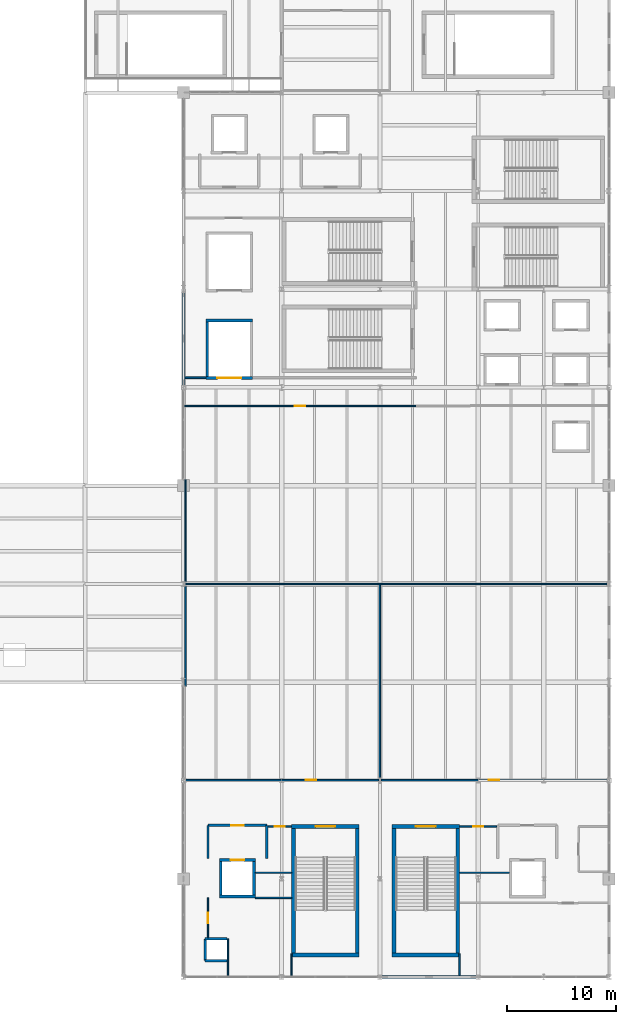
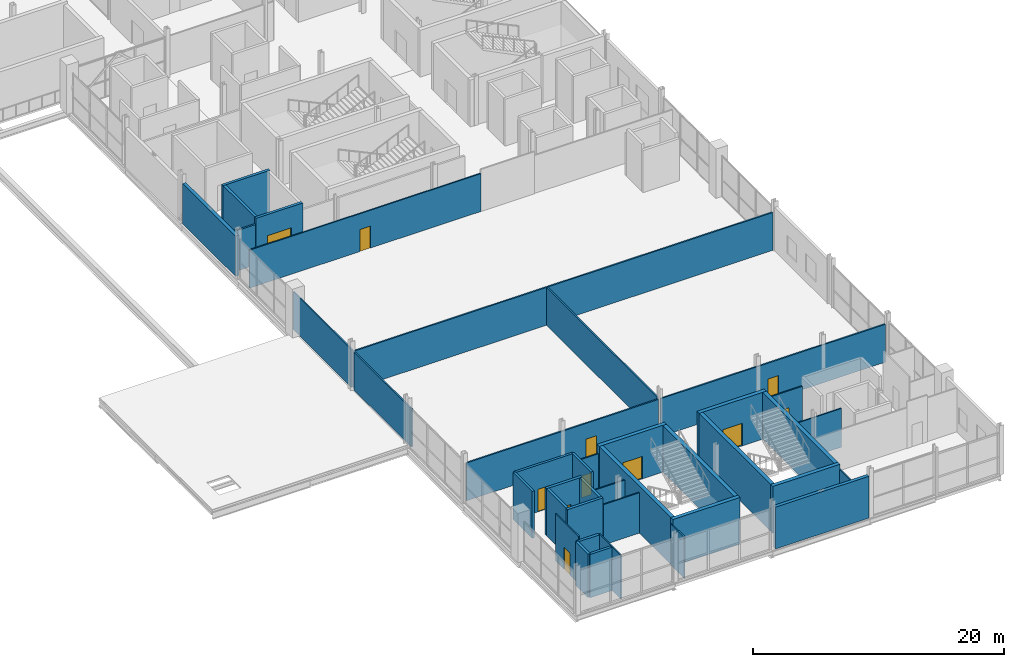
# One storey, part 39 of 50: 41 walls, 11 doors, 11 openings.
"""IFC4 building model written with IfcOpenShell, lengths in metres."""

from ifc_helpers import new_model, si_unit, direction, frame, frame_2d, origin, place, context, subcontext, project, spatial, rectangle, extrude, material, layer, layer_set, type_object, element, fill, save


model = new_model("IFC4")

# Units and contexts
model_context = context("Model", 3, precision=1e-05, world=origin(), true_north=direction((0.0, 1.0)))
body_context = subcontext(model_context, "Body", "Model", "MODEL_VIEW")
ifc_project = project(units=[si_unit("LENGTHUNIT", "METRE"), si_unit("AREAUNIT", "SQUARE_METRE"), si_unit("VOLUMEUNIT", "CUBIC_METRE"), si_unit("PLANEANGLEUNIT", "RADIAN"), si_unit("MASSUNIT", "GRAM", prefix="KILO")], contexts=[model_context])

# Site, building, storey
site_placement = place(None, origin())
site = spatial("IfcSite", under=ifc_project, at=site_placement, CompositionType="ELEMENT")
building_placement = place(site_placement, origin())
building = spatial("IfcBuilding", under=site, at=building_placement, Name="Qamarlyn Nura Convention Centre", CompositionType="ELEMENT")
storey_placement = place(building_placement, frame((0.0, 0.0, 20.39990234375)))
storey = spatial("IfcBuildingStorey", under=building, at=storey_placement, Name="L04", CompositionType="ELEMENT", Elevation=20.39990234375)

# Wall, opening, door
ifc_material_1 = material(Name="Fire-rated acoustic gypsum board and mineral wool EI 120")
ifc_layer_1 = layer(ifc_material_1, 0.219970703125, Name="WT-COMP-220")
ifc_layer_set_1 = layer_set([ifc_layer_1], Name="Fire-rated acoustic gypsum board and mineral wool EI 120")
wall_type_1 = type_object("IfcWallType", Name="WT-COMP-220", PredefinedType="SOLIDWALL", material=ifc_layer_set_1)
wall_1_placement = place(storey_placement, frame((155.25, 13.89990234375, 0.0), z_axis=(0.0, 0.0, 1.0), x_axis=(1.0, 0.0, 0.0)))
wall_1 = element("IfcWall", 1, at=wall_1_placement, inside=storey, type_object=wall_type_1, Name="L04 firefighting lobby barrier wall FFL-01-OPP", PredefinedType="SOLIDWALL", context=body_context, shape_type="SweptSolid", body=[
    extrude(rectangle(XDim=5.39990234375, YDim=0.219970703125, at=frame_2d((2.699951171875, 0.0))), origin(), (0.0, 0.0, 1.0), 4.56005859375),
])
opening_1_placement = place(wall_1_placement, frame((2.139892578125, 0.0, 0.0)))
opening_1 = element("IfcOpeningElement", 2, at=opening_1_placement, cuts=wall_1, Name="Opening DF-108", PredefinedType="OPENING", context=body_context, shape_type="SweptSolid", body=[
    extrude(rectangle(XDim=1.1201171875, YDim=2.199951171875, at=frame_2d((0.56005859375, 1.10009765625))), frame((0.0, 0.1201171875, 0.0), z_axis=(0.0, -1.0, 0.0), x_axis=(1.0, 0.0, 0.0)), (0.0, 0.0, 1.0), 0.239990234375),
])
ifc_material_2 = material(Name="Galvanised fire-rated hollow steel door", Category="steel")
door_type_1 = type_object("IfcDoorType", Name="DR-FFL-1120", OperationType="NOTDEFINED", PredefinedType="DOOR", material=ifc_material_2)
door_1_placement = place(opening_1_placement, origin())
door_1 = element("IfcDoor", 3, at=door_1_placement, inside=storey, type_object=door_type_1, Name="L04 firefighting lobby door FFL-01 (DF-108)", OperationType="SINGLE_SWING_RIGHT", OverallHeight=2.199951171875, OverallWidth=1.1201171875, PredefinedType="DOOR", context=body_context, shape_type="SweptSolid", body=[
    extrude(rectangle(XDim=1.1201171875, YDim=2.199951171875, at=frame_2d((0.56005859375, 1.10009765625))), frame((0.0, 0.02490234375, 0.0), z_axis=(0.0, -1.0, 0.0), x_axis=(1.0, 0.0, 0.0)), (0.0, 0.0, 1.0), 0.050048828125),
])
fill(opening_1, door_1)

# Walls
for number, where, z_axis, x_axis, name in (
    (4, (155.25, 10.85009765625, 0.0), (0.0, 0.0, 1.0), (0.0, 1.0, 0.0), "L04 firefighting lobby barrier wall FFL-01-W"),
    (5, (160.64990234375, 10.85009765625, 0.0), (0.0, 0.0, 1.0), (0.0, 1.0, 0.0), "L04 firefighting lobby barrier wall FFL-01-E"),
):
    element("IfcWall", number, at=place(storey_placement, frame(where, z_axis=z_axis, x_axis=x_axis)), inside=storey, type_object=wall_type_1, Name=name, PredefinedType="SOLIDWALL", context=body_context, shape_type="SweptSolid", body=[
        extrude(rectangle(XDim=3.0498046875, YDim=0.219970703125, at=frame_2d((1.52490234375, 0.0))), origin(), (0.0, 0.0, 1.0), 4.56005859375),
    ])
ifc_material_3 = material(Name="Concrete C50/60", Category="concrete")
ifc_layer_2 = layer(ifc_material_3, 0.35009765625, Name="WT-CORE-350")
ifc_layer_set_2 = layer_set([ifc_layer_2], Name="Concrete C50/60")
wall_type_2 = type_object("IfcWallType", Name="WT-CORE-350", PredefinedType="SHEAR", material=ifc_layer_set_2)
wall_2_placement = place(storey_placement, frame((162.89990234375, 2.02490234375, 0.0), z_axis=(0.0, 0.0, 1.0), x_axis=(1.0, 0.0, 0.0)))
element("IfcWall", 6, at=wall_2_placement, inside=storey, type_object=wall_type_2, Name="L04 stair core shear wall ST-09-S", PredefinedType="SHEAR", context=body_context, shape_type="SweptSolid", body=[
    extrude(rectangle(XDim=6.2001953125, YDim=0.35009765625, at=frame_2d((3.10009765625, 0.0))), origin(), (0.0, 0.0, 1.0), 4.56005859375),
])

# Wall, opening, door
wall_3_placement = place(storey_placement, frame((169.10009765625, 13.77490234375, 0.0), z_axis=(0.0, 0.0, 1.0), x_axis=(-1.0, 0.0, 0.0)))
wall_3 = element("IfcWall", 7, at=wall_3_placement, inside=storey, type_object=wall_type_2, Name="L04 stair core shear wall ST-09-N", PredefinedType="SHEAR", context=body_context, shape_type="SweptSolid", body=[
    extrude(rectangle(XDim=6.2001953125, YDim=0.35009765625, at=frame_2d((3.10009765625, 0.0))), origin(), (0.0, 0.0, 1.0), 4.56005859375),
])
opening_2_placement = place(wall_3_placement, frame((2.199951171875, 0.0, 0.0)))
opening_2 = element("IfcOpeningElement", 8, at=opening_2_placement, cuts=wall_3, Name="Opening DS-034", PredefinedType="OPENING", context=body_context, shape_type="SweptSolid", body=[
    extrude(rectangle(XDim=1.800048828125, YDim=2.199951171875, at=frame_2d((0.89990234375, 1.10009765625))), frame((0.0, 0.18505859375, 0.0), z_axis=(0.0, -1.0, 0.0), x_axis=(1.0, 0.0, 0.0)), (0.0, 0.0, 1.0), 0.3701171875),
])
door_type_2 = type_object("IfcDoorType", Name="DR-STAIR-1800", OperationType="DOUBLE_DOOR_SINGLE_SWING", PredefinedType="DOOR", material=ifc_material_2)
door_2_placement = place(opening_2_placement, origin())
door_2 = element("IfcDoor", 9, at=door_2_placement, inside=storey, type_object=door_type_2, Name="L04 exit stair door ST-09 (DS-034)", OperationType="DOUBLE_DOOR_SINGLE_SWING", OverallHeight=2.199951171875, OverallWidth=1.800048828125, PredefinedType="DOOR", context=body_context, shape_type="SweptSolid", body=[
    extrude(rectangle(XDim=1.800048828125, YDim=2.199951171875, at=frame_2d((0.89990234375, 1.10009765625))), frame((0.0, 0.02490234375, 0.0), z_axis=(0.0, -1.0, 0.0), x_axis=(1.0, 0.0, 0.0)), (0.0, 0.0, 1.0), 0.050048828125),
])
fill(opening_2, door_2)

# Walls
for number, where, z_axis, x_axis, name in (
    (10, (163.074951171875, 13.60009765625, 0.0), (0.0, 0.0, 1.0), (0.0, -1.0, 0.0), "L04 stair core shear wall ST-09-W"),
    (11, (168.925048828125, 2.199951171875, 0.0), (0.0, 0.0, 1.0), (0.0, 1.0, 0.0), "L04 stair core shear wall ST-09-E"),
):
    element("IfcWall", number, at=place(storey_placement, frame(where, z_axis=z_axis, x_axis=x_axis)), inside=storey, type_object=wall_type_2, Name=name, PredefinedType="SHEAR", context=body_context, shape_type="SweptSolid", body=[
        extrude(rectangle(XDim=11.400146484375, YDim=0.35009765625, at=frame_2d((5.7001953125, 0.0))), origin(), (0.0, 0.0, 1.0), 4.56005859375),
    ])
wall_4_placement = place(storey_placement, frame((172.10009765625, 2.02490234375, 0.0), z_axis=(0.0, 0.0, 1.0), x_axis=(1.0, 0.0, 0.0)))
element("IfcWall", 12, at=wall_4_placement, inside=storey, type_object=wall_type_2, Name="L04 stair core shear wall ST-10-S", PredefinedType="SHEAR", context=body_context, shape_type="SweptSolid", body=[
    extrude(rectangle(XDim=6.199951171875, YDim=0.35009765625, at=frame_2d((3.10009765625, 0.0))), origin(), (0.0, 0.0, 1.0), 4.56005859375),
])

# Wall, opening, door
wall_5_placement = place(storey_placement, frame((178.300048828125, 13.77490234375, 0.0), z_axis=(0.0, 0.0, 1.0), x_axis=(-1.0, 0.0, 0.0)))
wall_5 = element("IfcWall", 13, at=wall_5_placement, inside=storey, type_object=wall_type_2, Name="L04 stair core shear wall ST-10-N", PredefinedType="SHEAR", context=body_context, shape_type="SweptSolid", body=[
    extrude(rectangle(XDim=6.199951171875, YDim=0.35009765625, at=frame_2d((3.10009765625, 0.0))), origin(), (0.0, 0.0, 1.0), 4.56005859375),
])
opening_3_placement = place(wall_5_placement, frame((2.199951171875, 0.0, 0.0)))
opening_3 = element("IfcOpeningElement", 14, at=opening_3_placement, cuts=wall_5, Name="Opening DS-041", PredefinedType="OPENING", context=body_context, shape_type="SweptSolid", body=[
    extrude(rectangle(XDim=1.800048828125, YDim=2.199951171875, at=frame_2d((0.89990234375, 1.10009765625))), frame((0.0, 0.18505859375, 0.0), z_axis=(0.0, -1.0, 0.0), x_axis=(1.0, 0.0, 0.0)), (0.0, 0.0, 1.0), 0.3701171875),
])
door_3_placement = place(opening_3_placement, origin())
door_3 = element("IfcDoor", 15, at=door_3_placement, inside=storey, type_object=door_type_2, Name="L04 exit stair door ST-10 (DS-041)", OperationType="DOUBLE_DOOR_SINGLE_SWING", OverallHeight=2.199951171875, OverallWidth=1.800048828125, PredefinedType="DOOR", context=body_context, shape_type="SweptSolid", body=[
    extrude(rectangle(XDim=1.800048828125, YDim=2.199951171875, at=frame_2d((0.89990234375, 1.10009765625))), frame((0.0, 0.02490234375, 0.0), z_axis=(0.0, -1.0, 0.0), x_axis=(1.0, 0.0, 0.0)), (0.0, 0.0, 1.0), 0.050048828125),
])
fill(opening_3, door_3)

# Walls
for number, where, z_axis, x_axis, name in (
    (16, (172.27490234375, 13.60009765625, 0.0), (0.0, 0.0, 1.0), (0.0, -1.0, 0.0), "L04 stair core shear wall ST-10-W"),
    (17, (178.125, 2.199951171875, 0.0), (0.0, 0.0, 1.0), (0.0, 1.0, 0.0), "L04 stair core shear wall ST-10-E"),
):
    element("IfcWall", number, at=place(storey_placement, frame(where, z_axis=z_axis, x_axis=x_axis)), inside=storey, type_object=wall_type_2, Name=name, PredefinedType="SHEAR", context=body_context, shape_type="SweptSolid", body=[
        extrude(rectangle(XDim=11.400146484375, YDim=0.35009765625, at=frame_2d((5.7001953125, 0.0))), origin(), (0.0, 0.0, 1.0), 4.56005859375),
    ])
ifc_material_4 = material(Name="Concrete C40/50 with UAE coastal limestone stone facing", Category="masonry")
ifc_layer_3 = layer(ifc_material_4, 0.300048828125, Name="WT-LIME-300")
ifc_layer_set_3 = layer_set([ifc_layer_3], Name="Concrete C40/50 with UAE coastal limestone stone facing")
wall_type_3 = type_object("IfcWallType", Name="WT-LIME-300", PredefinedType="SOLIDWALL", material=ifc_layer_set_3)
wall_6_placement = place(storey_placement, frame((179.8154296875, 0.0, 0.0), z_axis=(0.0, 0.0, 1.0), x_axis=(-1.0, 0.0, 0.0)))
element("IfcWall", 18, at=wall_6_placement, inside=storey, type_object=wall_type_3, Name="L04 exterior facade wall WEXT-L04-1798-0-1712-0", PredefinedType="SOLIDWALL", context=body_context, shape_type="SweptSolid", body=[
    extrude(rectangle(XDim=8.62841796875, YDim=0.300048828125, at=frame_2d((4.314208984375, 0.0))), origin(), (0.0, 0.0, 1.0), 4.0791015625),
])
wall_7_placement = place(storey_placement, frame((153.0, 54.199951171875, 0.0), z_axis=(0.0, 0.0, 1.0), x_axis=(0.0, 1.0, 0.0)))
element("IfcWall", 19, at=wall_7_placement, inside=storey, type_object=wall_type_3, Name="L04 exterior facade wall WEXT-L04-1530-542-1530-627", PredefinedType="SOLIDWALL", context=body_context, shape_type="SweptSolid", body=[
    extrude(rectangle(XDim=8.45263671875, YDim=0.300048828125, at=frame_2d((4.226318359375, 0.0))), origin(), (0.0, 0.0, 1.0), 3.93408203125),
])

# Wall, opening, door
ifc_material_5 = material(Name="Acoustic double-stud gypsum partition")
ifc_layer_4 = layer(ifc_material_5, 0.1201171875, Name="WT-PART-120")
ifc_layer_set_4 = layer_set([ifc_layer_4], Name="Acoustic double-stud gypsum partition")
wall_type_4 = type_object("IfcWallType", Name="WT-PART-120", PredefinedType="PARTITIONING", material=ifc_layer_set_4)
wall_8_placement = place(storey_placement, frame((160.760009765625, 13.77490234375, 0.0), z_axis=(0.0, 0.0, 1.0), x_axis=(1.0, 0.0, 0.0)))
wall_8 = element("IfcWall", 20, at=wall_8_placement, inside=storey, type_object=wall_type_4, Name="L04 interior partition L04-WC-M-L04-18-1", PredefinedType="PARTITIONING", context=body_context, shape_type="SweptSolid", body=[
    extrude(rectangle(XDim=2.139892578125, YDim=0.1201171875, at=frame_2d((1.06982421875, 0.0))), origin(), (0.0, 0.0, 1.0), 3.772216796875),
])
opening_4_placement = place(wall_8_placement, frame((0.610107421875, 0.0, 0.0)))
opening_4 = element("IfcOpeningElement", 21, at=opening_4_placement, cuts=wall_8, Name="Opening D-L04-204", PredefinedType="OPENING", context=body_context, shape_type="SweptSolid", body=[
    extrude(rectangle(XDim=0.919921875, YDim=2.1201171875, at=frame_2d((0.4599609375, 1.06005859375))), frame((0.0, 0.070068359375, 0.0), z_axis=(0.0, -1.0, 0.0), x_axis=(1.0, 0.0, 0.0)), (0.0, 0.0, 1.0), 0.14013671875),
])
ifc_material_6 = material(Name="Acoustic walnut timber leaf", Category="wood")
door_type_3 = type_object("IfcDoorType", Name="DR-WC-STD-092", OperationType="NOTDEFINED", PredefinedType="DOOR", material=ifc_material_6)
door_4_placement = place(opening_4_placement, origin())
door_4 = element("IfcDoor", 22, at=door_4_placement, inside=storey, type_object=door_type_3, Name="L04 Male WC L04 door D-L04-204", OperationType="SINGLE_SWING_RIGHT", OverallHeight=2.1201171875, OverallWidth=0.919921875, PredefinedType="DOOR", context=body_context, shape_type="SweptSolid", body=[
    extrude(rectangle(XDim=0.919921875, YDim=2.1201171875, at=frame_2d((0.4599609375, 1.06005859375))), frame((0.0, 0.02490234375, 0.0), z_axis=(0.0, -1.0, 0.0), x_axis=(1.0, 0.0, 0.0)), (0.0, 0.0, 1.0), 0.050048828125),
])
fill(opening_4, door_4)

# Wall
wall_9_placement = place(storey_placement, frame((162.89990234375, 9.550048828125, 0.0), z_axis=(0.0, 0.0, 1.0), x_axis=(-1.0, 0.0, 0.0)))
element("IfcWall", 23, at=wall_9_placement, inside=storey, type_object=wall_type_4, Name="L04 interior partition L04-WC-M-L04-24-1", PredefinedType="PARTITIONING", context=body_context, shape_type="SweptSolid", body=[
    extrude(rectangle(XDim=3.2998046875, YDim=0.1201171875, at=frame_2d((1.64990234375, 0.0))), origin(), (0.0, 0.0, 1.0), 3.772216796875),
])

# Wall, opening, door
wall_10_placement = place(storey_placement, frame((178.300048828125, 13.77490234375, 0.0), z_axis=(0.0, 0.0, 1.0), x_axis=(1.0, 0.0, 0.0)))
wall_10 = element("IfcWall", 24, at=wall_10_placement, inside=storey, type_object=wall_type_4, Name="L04 interior partition L04-WC-F-L04-1-1", PredefinedType="PARTITIONING", context=body_context, shape_type="SweptSolid", body=[
    extrude(rectangle(XDim=3.389892578125, YDim=0.1201171875, at=frame_2d((1.69482421875, 0.0))), origin(), (0.0, 0.0, 1.0), 3.772216796875),
])
opening_5_placement = place(wall_10_placement, frame((1.235107421875, 0.0, 0.0)))
opening_5 = element("IfcOpeningElement", 25, at=opening_5_placement, cuts=wall_10, Name="Opening D-L04-205", PredefinedType="OPENING", context=body_context, shape_type="SweptSolid", body=[
    extrude(rectangle(XDim=0.919921875, YDim=2.1201171875, at=frame_2d((0.4599609375, 1.06005859375))), frame((0.0, 0.070068359375, 0.0), z_axis=(0.0, -1.0, 0.0), x_axis=(1.0, 0.0, 0.0)), (0.0, 0.0, 1.0), 0.14013671875),
])
door_5_placement = place(opening_5_placement, origin())
door_5 = element("IfcDoor", 26, at=door_5_placement, inside=storey, type_object=door_type_3, Name="L04 Female WC L04 door D-L04-205", OperationType="SINGLE_SWING_LEFT", OverallHeight=2.1201171875, OverallWidth=0.919921875, PredefinedType="DOOR", context=body_context, shape_type="SweptSolid", body=[
    extrude(rectangle(XDim=0.919921875, YDim=2.1201171875, at=frame_2d((0.4599609375, 1.06005859375))), frame((0.0, 0.02490234375, 0.0), z_axis=(0.0, -1.0, 0.0), x_axis=(1.0, 0.0, 0.0)), (0.0, 0.0, 1.0), 0.050048828125),
])
fill(opening_5, door_5)

# Walls
wall_11_placement = place(storey_placement, frame((182.85009765625, 9.550048828125, 0.0), z_axis=(0.0, 0.0, 1.0), x_axis=(-1.0, 0.0, 0.0)))
element("IfcWall", 27, at=wall_11_placement, inside=storey, type_object=wall_type_4, Name="L04 interior partition L04-WC-F-L04-20-1", PredefinedType="PARTITIONING", context=body_context, shape_type="SweptSolid", body=[
    extrude(rectangle(XDim=4.550048828125, YDim=0.1201171875, at=frame_2d((2.27490234375, 0.0))), origin(), (0.0, 0.0, 1.0), 3.772216796875),
])
wall_12_placement = place(storey_placement, frame((159.60009765625, 7.25, 0.0), z_axis=(0.0, 0.0, 1.0), x_axis=(1.0, 0.0, 0.0)))
element("IfcWall", 28, at=wall_12_placement, inside=storey, type_object=wall_type_4, Name="L04 interior partition L04-BRD-401-8-1", PredefinedType="PARTITIONING", context=body_context, shape_type="SweptSolid", body=[
    extrude(rectangle(XDim=3.2998046875, YDim=0.1201171875, at=frame_2d((1.64990234375, 0.0))), origin(), (0.0, 0.0, 1.0), 3.93408203125),
])
wall_13_placement = place(storey_placement, frame((162.89990234375, 2.117431640625, 0.0), z_axis=(0.0, 0.0, 1.0), x_axis=(0.0, -1.0, 0.0)))
element("IfcWall", 29, at=wall_13_placement, inside=storey, type_object=wall_type_4, Name="L04 interior partition L04-BRD-401-13-1", PredefinedType="PARTITIONING", context=body_context, shape_type="SweptSolid", body=[
    extrude(rectangle(XDim=2.10546875, YDim=0.1201171875, at=frame_2d((1.052734375, 0.0))), origin(), (0.0, 0.0, 1.0), 4.006103515625),
])
wall_14_placement = place(storey_placement, frame((157.080078125, 0.011962890625, 0.0), z_axis=(0.0, 0.0, 1.0), x_axis=(0.0, 1.0, 0.0)))
element("IfcWall", 30, at=wall_14_placement, inside=storey, type_object=wall_type_4, Name="L04 interior partition L04-BRD-401-33-1", PredefinedType="PARTITIONING", context=body_context, shape_type="SweptSolid", body=[
    extrude(rectangle(XDim=3.488037109375, YDim=0.1201171875, at=frame_2d((1.744140625, 0.0))), origin(), (0.0, 0.0, 1.0), 4.2451171875),
])

# Wall, opening, door
wall_15_placement = place(storey_placement, frame((155.25, 3.580078125, 0.0), z_axis=(0.0, 0.0, 1.0), x_axis=(0.0, 1.0, 0.0)))
wall_15 = element("IfcWall", 31, at=wall_15_placement, inside=storey, type_object=wall_type_4, Name="L04 interior partition L04-BRD-401-51-1", PredefinedType="PARTITIONING", context=body_context, shape_type="SweptSolid", body=[
    extrude(rectangle(XDim=3.669921875, YDim=0.1201171875, at=frame_2d((1.8349609375, 0.0))), origin(), (0.0, 0.0, 1.0), 4.56005859375),
])
opening_6_placement = place(wall_15_placement, frame((1.364990234375, 0.0, 0.0)))
opening_6 = element("IfcOpeningElement", 32, at=opening_6_placement, cuts=wall_15, Name="Opening D-L04-207", PredefinedType="OPENING", context=body_context, shape_type="SweptSolid", body=[
    extrude(rectangle(XDim=0.93994140625, YDim=2.14990234375, at=frame_2d((0.469970703125, 1.074951171875))), frame((0.0, 0.070068359375, 0.0), z_axis=(0.0, -1.0, 0.0), x_axis=(1.0, 0.0, 0.0)), (0.0, 0.0, 1.0), 0.14013671875),
])
door_type_4 = type_object("IfcDoorType", Name="DR-ROOM-0940", OperationType="NOTDEFINED", PredefinedType="DOOR", material=ifc_material_6)
door_6_placement = place(opening_6_placement, origin())
door_6 = element("IfcDoor", 33, at=door_6_placement, inside=storey, type_object=door_type_4, Name="L04 Executive Boardroom 401 door D-L04-207", OperationType="SINGLE_SWING_LEFT", OverallHeight=2.14990234375, OverallWidth=0.93994140625, PredefinedType="DOOR", context=body_context, shape_type="SweptSolid", body=[
    extrude(rectangle(XDim=0.93994140625, YDim=2.14990234375, at=frame_2d((0.469970703125, 1.074951171875))), frame((0.0, 0.02490234375, 0.0), z_axis=(0.0, -1.0, 0.0), x_axis=(1.0, 0.0, 0.0)), (0.0, 0.0, 1.0), 0.050048828125),
])
fill(opening_6, door_6)

# Wall
wall_16_placement = place(storey_placement, frame((178.300048828125, 0.14990234375, 0.0), z_axis=(0.0, 0.0, 1.0), x_axis=(0.0, 1.0, 0.0)))
element("IfcWall", 34, at=wall_16_placement, inside=storey, type_object=wall_type_4, Name="L04 interior partition L04-BRD-402-42-1", PredefinedType="PARTITIONING", context=body_context, shape_type="SweptSolid", body=[
    extrude(rectangle(XDim=1.967529296875, YDim=0.1201171875, at=frame_2d((0.98388671875, 0.0))), origin(), (0.0, 0.0, 1.0), 4.0791015625),
])

# Wall, opening, door
wall_17_placement = place(storey_placement, frame((153.011962890625, 52.31005859375, 0.0), z_axis=(0.0, 0.0, 1.0), x_axis=(1.0, 0.0, 0.0)))
wall_17 = element("IfcWall", 35, at=wall_17_placement, inside=storey, type_object=wall_type_4, Name="L04 interior partition L04-PRS-STUD-1-1", PredefinedType="PARTITIONING", context=body_context, shape_type="SweptSolid", body=[
    extrude(rectangle(XDim=21.298095703125, YDim=0.1201171875, at=frame_2d((10.64892578125, 0.0))), origin(), (0.0, 0.0, 1.0), 3.690185546875),
])
opening_7_placement = place(wall_17_placement, frame((10.1689453125, 0.0, 0.0)))
opening_7 = element("IfcOpeningElement", 36, at=opening_7_placement, cuts=wall_17, Name="Opening D-L04-214", PredefinedType="OPENING", context=body_context, shape_type="SweptSolid", body=[
    extrude(rectangle(XDim=0.9599609375, YDim=2.14990234375, at=frame_2d((0.47998046875, 1.074951171875))), frame((0.0, 0.070068359375, 0.0), z_axis=(0.0, -1.0, 0.0), x_axis=(1.0, 0.0, 0.0)), (0.0, 0.0, 1.0), 0.14013671875),
])
door_type_5 = type_object("IfcDoorType", Name="DR-ROOM-0960", OperationType="NOTDEFINED", PredefinedType="DOOR", material=ifc_material_6)
door_7_placement = place(opening_7_placement, origin())
door_7 = element("IfcDoor", 37, at=door_7_placement, inside=storey, type_object=door_type_5, Name="L04 Broadcast and Press Studios door D-L04-214", OperationType="SINGLE_SWING_LEFT", OverallHeight=2.14990234375, OverallWidth=0.9599609375, PredefinedType="DOOR", context=body_context, shape_type="SweptSolid", body=[
    extrude(rectangle(XDim=0.9599609375, YDim=2.14990234375, at=frame_2d((0.47998046875, 1.074951171875))), frame((0.0, 0.02490234375, 0.0), z_axis=(0.0, -1.0, 0.0), x_axis=(1.0, 0.0, 0.0)), (0.0, 0.0, 1.0), 0.050048828125),
])
fill(opening_7, door_7)

# Walls
wall_18_placement = place(storey_placement, frame((153.199951171875, 36.219970703125, 0.0), z_axis=(0.0, 0.0, 1.0), x_axis=(0.0, 1.0, 0.0)))
element("IfcWall", 38, at=wall_18_placement, inside=storey, type_object=wall_type_4, Name="L04 interior partition L04-PRS-STUD-47-1", PredefinedType="PARTITIONING", context=body_context, shape_type="SweptSolid", body=[
    extrude(rectangle(XDim=9.330078125, YDim=0.1201171875, at=frame_2d((4.6650390625, 0.0))), origin(), (0.0, 0.0, 1.0), 3.690185546875),
])
ifc_layer_5 = layer(ifc_material_5, 0.135009765625, Name="WT-PART-135")
ifc_layer_set_5 = layer_set([ifc_layer_5], Name="Acoustic double-stud gypsum partition")
wall_type_5 = type_object("IfcWallType", Name="WT-PART-135", PredefinedType="PARTITIONING", material=ifc_layer_set_5)
wall_19_placement = place(storey_placement, frame((153.2099609375, 36.0, 0.0), z_axis=(0.0, 0.0, 1.0), x_axis=(1.0, 0.0, 0.0)))
element("IfcWall", 39, at=wall_19_placement, inside=storey, type_object=wall_type_5, Name="L04 interior partition L04-SEM-403-1-1", PredefinedType="PARTITIONING", context=body_context, shape_type="SweptSolid", body=[
    extrude(rectangle(XDim=17.7900390625, YDim=0.135009765625, at=frame_2d((8.89501953125, 0.0))), origin(), (0.0, 0.0, 1.0), 3.690185546875),
])
wall_20_placement = place(storey_placement, frame((171.0, 36.0, 0.0), z_axis=(0.0, 0.0, 1.0), x_axis=(0.0, -1.0, 0.0)))
element("IfcWall", 40, at=wall_20_placement, inside=storey, type_object=wall_type_5, Name="L04 interior partition L04-SEM-403-2-1", PredefinedType="PARTITIONING", context=body_context, shape_type="SweptSolid", body=[
    extrude(rectangle(XDim=17.719970703125, YDim=0.135009765625, at=frame_2d((8.85986328125, 0.0))), origin(), (0.0, 0.0, 1.0), 3.690185546875),
])

# Wall, opening, door
wall_21_placement = place(storey_placement, frame((170.8798828125, 18.0400390625, 0.0), z_axis=(0.0, 0.0, 1.0), x_axis=(-1.0, 0.0, 0.0)))
wall_21 = element("IfcWall", 41, at=wall_21_placement, inside=storey, type_object=wall_type_5, Name="L04 interior partition L04-SEM-403-3-1", PredefinedType="PARTITIONING", context=body_context, shape_type="SweptSolid", body=[
    extrude(rectangle(XDim=17.669921875, YDim=0.135009765625, at=frame_2d((8.8349609375, 0.0))), origin(), (0.0, 0.0, 1.0), 3.690185546875),
])
opening_8_placement = place(wall_21_placement, frame((5.694580078125, 0.0, 0.0)))
opening_8 = element("IfcOpeningElement", 42, at=opening_8_placement, cuts=wall_21, Name="Opening D-L04-211", PredefinedType="OPENING", context=body_context, shape_type="SweptSolid", body=[
    extrude(rectangle(XDim=0.97998046875, YDim=2.14990234375, at=frame_2d((0.489990234375, 1.074951171875))), frame((0.0, 0.07763671875, 0.0), z_axis=(0.0, -1.0, 0.0), x_axis=(1.0, 0.0, 0.0)), (0.0, 0.0, 1.0), 0.155029296875),
])
door_type_6 = type_object("IfcDoorType", Name="DR-ROOM-0980", OperationType="NOTDEFINED", PredefinedType="DOOR", material=ifc_material_6)
door_8_placement = place(opening_8_placement, origin())
door_8 = element("IfcDoor", 43, at=door_8_placement, inside=storey, type_object=door_type_6, Name="L04 Seminar Suite 403 door D-L04-211", OperationType="SINGLE_SWING_RIGHT", OverallHeight=2.14990234375, OverallWidth=0.97998046875, PredefinedType="DOOR", context=body_context, shape_type="SweptSolid", body=[
    extrude(rectangle(XDim=0.97998046875, YDim=2.14990234375, at=frame_2d((0.489990234375, 1.074951171875))), frame((0.0, 0.02490234375, 0.0), z_axis=(0.0, -1.0, 0.0), x_axis=(1.0, 0.0, 0.0)), (0.0, 0.0, 1.0), 0.050048828125),
])
fill(opening_8, door_8)

# Wall
wall_22_placement = place(storey_placement, frame((153.199951171875, 26.652587890625, 0.0), z_axis=(0.0, 0.0, 1.0), x_axis=(0.0, 1.0, 0.0)))
element("IfcWall", 44, at=wall_22_placement, inside=storey, type_object=wall_type_5, Name="L04 interior partition L04-SEM-403-4-2", PredefinedType="PARTITIONING", context=body_context, shape_type="SweptSolid", body=[
    extrude(rectangle(XDim=9.12744140625, YDim=0.135009765625, at=frame_2d((4.563720703125, 0.0))), origin(), (0.0, 0.0, 1.0), 3.690185546875),
])

# Wall, opening, door
wall_23_placement = place(storey_placement, frame((191.7900390625, 18.0400390625, 0.0), z_axis=(0.0, 0.0, 1.0), x_axis=(-1.0, 0.0, 0.0)))
wall_23 = element("IfcWall", 45, at=wall_23_placement, inside=storey, type_object=wall_type_5, Name="L04 interior partition L04-SEM-404-2-1", PredefinedType="PARTITIONING", context=body_context, shape_type="SweptSolid", body=[
    extrude(rectangle(XDim=20.669921875, YDim=0.135009765625, at=frame_2d((10.3349609375, 0.0))), origin(), (0.0, 0.0, 1.0), 3.690185546875),
])
opening_9_placement = place(wall_23_placement, frame((9.864990234375, 0.0, 0.0)))
opening_9 = element("IfcOpeningElement", 46, at=opening_9_placement, cuts=wall_23, Name="Opening D-L04-212", PredefinedType="OPENING", context=body_context, shape_type="SweptSolid", body=[
    extrude(rectangle(XDim=0.93994140625, YDim=2.14990234375, at=frame_2d((0.469970703125, 1.074951171875))), frame((0.0, 0.07763671875, 0.0), z_axis=(0.0, -1.0, 0.0), x_axis=(1.0, 0.0, 0.0)), (0.0, 0.0, 1.0), 0.155029296875),
])
door_9_placement = place(opening_9_placement, origin())
door_9 = element("IfcDoor", 47, at=door_9_placement, inside=storey, type_object=door_type_4, Name="L04 Seminar Suite 404 door D-L04-212", OperationType="SINGLE_SWING_LEFT", OverallHeight=2.14990234375, OverallWidth=0.93994140625, PredefinedType="DOOR", context=body_context, shape_type="SweptSolid", body=[
    extrude(rectangle(XDim=0.93994140625, YDim=2.14990234375, at=frame_2d((0.469970703125, 1.074951171875))), frame((0.0, 0.02490234375, 0.0), z_axis=(0.0, -1.0, 0.0), x_axis=(1.0, 0.0, 0.0)), (0.0, 0.0, 1.0), 0.050048828125),
])
fill(opening_9, door_9)

# Walls
wall_24_placement = place(storey_placement, frame((171.0400390625, 36.0, 0.0), z_axis=(0.0, 0.0, 1.0), x_axis=(1.0, 0.0, 0.0)))
element("IfcWall", 48, at=wall_24_placement, inside=storey, type_object=wall_type_5, Name="L04 interior partition L04-SEM-404-4-1", PredefinedType="PARTITIONING", context=body_context, shape_type="SweptSolid", body=[
    extrude(rectangle(XDim=20.75, YDim=0.135009765625, at=frame_2d((10.375, 0.0))), origin(), (0.0, 0.0, 1.0), 3.690185546875),
])
ifc_material_7 = material(Name="Fire-rated acoustic gypsum board EI 60")
ifc_layer_6 = layer(ifc_material_7, 0.159912109375, Name="WT-PART-160")
ifc_layer_set_6 = layer_set([ifc_layer_6], Name="Fire-rated acoustic gypsum board EI 60")
wall_type_6 = type_object("IfcWallType", Name="WT-PART-160", PredefinedType="PARTITIONING", material=ifc_layer_set_6)
wall_25_placement = place(storey_placement, frame((155.050048828125, 54.889892578125, 0.0), z_axis=(0.0, 0.0, 1.0), x_axis=(-1.0, 0.0, 0.0)))
element("IfcWall", 49, at=wall_25_placement, inside=storey, type_object=wall_type_6, Name="L04 interior partition L04-PAN-EXEC-107-1", PredefinedType="PARTITIONING", context=body_context, shape_type="SweptSolid", body=[
    extrude(rectangle(XDim=1.900146484375, YDim=0.159912109375, at=frame_2d((0.9501953125, 0.0))), origin(), (0.0, 0.0, 1.0), 3.93408203125),
])
ifc_layer_7 = layer(ifc_material_1, 0.25, Name="WT-SHAFT-250")
ifc_layer_set_7 = layer_set([ifc_layer_7], Name="Fire-rated acoustic gypsum board and mineral wool EI 120")
wall_type_7 = type_object("IfcWallType", Name="WT-SHAFT-250", PredefinedType="SOLIDWALL", material=ifc_layer_set_7)
wall_26_placement = place(storey_placement, frame((156.300048828125, 7.375, 0.0), z_axis=(0.0, 0.0, 1.0), x_axis=(1.0, 0.0, 0.0)))
element("IfcWall", 50, at=wall_26_placement, inside=storey, type_object=wall_type_7, Name="L04 lift shaft enclosure wall FFL-01 -y", PredefinedType="SOLIDWALL", context=body_context, shape_type="SweptSolid", body=[
    extrude(rectangle(XDim=3.300048828125, YDim=0.25, at=frame_2d((1.64990234375, 0.0))), origin(), (0.0, 0.0, 1.0), 4.56005859375),
])

# Wall, opening, door
wall_27_placement = place(storey_placement, frame((159.60009765625, 10.72509765625, 0.0), z_axis=(0.0, 0.0, 1.0), x_axis=(-1.0, 0.0, 0.0)))
wall_27 = element("IfcWall", 51, at=wall_27_placement, inside=storey, type_object=wall_type_7, Name="L04 lift shaft enclosure wall FFL-01 +y", PredefinedType="SOLIDWALL", context=body_context, shape_type="SweptSolid", body=[
    extrude(rectangle(XDim=3.300048828125, YDim=0.25, at=frame_2d((1.64990234375, 0.0))), origin(), (0.0, 0.0, 1.0), 4.56005859375),
])
opening_10_placement = place(wall_27_placement, frame((1.050048828125, 0.0, 0.0)))
opening_10 = element("IfcOpeningElement", 52, at=opening_10_placement, cuts=wall_27, Name="Opening LD-FFL-01-L04", PredefinedType="OPENING", context=body_context, shape_type="SweptSolid", body=[
    extrude(rectangle(XDim=1.199951171875, YDim=2.25, at=frame_2d((0.60009765625, 1.125))), frame((0.0, 0.135009765625, 0.0), z_axis=(0.0, -1.0, 0.0), x_axis=(1.0, 0.0, 0.0)), (0.0, 0.0, 1.0), 0.27001953125),
])
ifc_material_8 = material(Name="Marine Grade 316 stainless steel", Category="steel")
door_type_7 = type_object("IfcDoorType", Name="DR-LD-FFL", OperationType="DOUBLE_DOOR_SLIDING", PredefinedType="DOOR", material=ifc_material_8)
door_10_placement = place(opening_10_placement, origin())
door_10 = element("IfcDoor", 53, at=door_10_placement, inside=storey, type_object=door_type_7, Name="Lift landing door LD-FFL-01-L04", OperationType="DOUBLE_DOOR_SLIDING", OverallHeight=2.25, OverallWidth=1.199951171875, PredefinedType="DOOR", context=body_context, shape_type="SweptSolid", body=[
    extrude(rectangle(XDim=1.199951171875, YDim=2.25, at=frame_2d((0.60009765625, 1.125))), frame((0.0, 0.02490234375, 0.0), z_axis=(0.0, -1.0, 0.0), x_axis=(1.0, 0.0, 0.0)), (0.0, 0.0, 1.0), 0.050048828125),
])
fill(opening_10, door_10)

# Walls
for number, where, z_axis, x_axis, name in (
    (54, (156.425048828125, 10.60009765625, 0.0), (0.0, 0.0, 1.0), (0.0, -1.0, 0.0), "L04 lift shaft enclosure wall FFL-01 -x"),
    (55, (159.47509765625, 7.5, 0.0), (0.0, 0.0, 1.0), (0.0, 1.0, 0.0), "L04 lift shaft enclosure wall FFL-01 +x"),
):
    element("IfcWall", number, at=place(storey_placement, frame(where, z_axis=z_axis, x_axis=x_axis)), inside=storey, type_object=wall_type_7, Name=name, PredefinedType="SOLIDWALL", context=body_context, shape_type="SweptSolid", body=[
        extrude(rectangle(XDim=3.10009765625, YDim=0.25, at=frame_2d((1.550048828125, 0.0))), origin(), (0.0, 0.0, 1.0), 4.56005859375),
    ])

# Wall, opening, door
wall_28_placement = place(storey_placement, frame((155.050048828125, 54.875, 0.0), z_axis=(0.0, 0.0, 1.0), x_axis=(1.0, 0.0, 0.0)))
wall_28 = element("IfcWall", 56, at=wall_28_placement, inside=storey, type_object=wall_type_7, Name="L04 lift shaft enclosure wall FL-03 -y", PredefinedType="SOLIDWALL", context=body_context, shape_type="SweptSolid", body=[
    extrude(rectangle(XDim=4.300048828125, YDim=0.25, at=frame_2d((2.14990234375, 0.0))), origin(), (0.0, 0.0, 1.0), 4.56005859375),
])
opening_11_placement = place(wall_28_placement, frame((1.050048828125, 0.0, 0.0)))
opening_11 = element("IfcOpeningElement", 57, at=opening_11_placement, cuts=wall_28, Name="Opening LD-FL-03-L04", PredefinedType="OPENING", context=body_context, shape_type="SweptSolid", body=[
    extrude(rectangle(XDim=2.199951171875, YDim=2.5, at=frame_2d((1.10009765625, 1.25))), frame((0.0, 0.135009765625, 0.0), z_axis=(0.0, -1.0, 0.0), x_axis=(1.0, 0.0, 0.0)), (0.0, 0.0, 1.0), 0.27001953125),
])
door_type_8 = type_object("IfcDoorType", Name="DR-LD-FRT", OperationType="DOUBLE_DOOR_SLIDING", PredefinedType="DOOR", material=ifc_material_2)
door_11_placement = place(opening_11_placement, origin())
door_11 = element("IfcDoor", 58, at=door_11_placement, inside=storey, type_object=door_type_8, Name="Lift landing door LD-FL-03-L04", OperationType="DOUBLE_DOOR_SLIDING", OverallHeight=2.5, OverallWidth=2.199951171875, PredefinedType="DOOR", context=body_context, shape_type="SweptSolid", body=[
    extrude(rectangle(XDim=2.199951171875, YDim=2.5, at=frame_2d((1.10009765625, 1.25))), frame((0.0, 0.02490234375, 0.0), z_axis=(0.0, -1.0, 0.0), x_axis=(1.0, 0.0, 0.0)), (0.0, 0.0, 1.0), 0.050048828125),
])
fill(opening_11, door_11)

# Walls
wall_29_placement = place(storey_placement, frame((159.35009765625, 60.125, 0.0), z_axis=(0.0, 0.0, 1.0), x_axis=(-1.0, 0.0, 0.0)))
element("IfcWall", 59, at=wall_29_placement, inside=storey, type_object=wall_type_7, Name="L04 lift shaft enclosure wall FL-03 +y", PredefinedType="SOLIDWALL", context=body_context, shape_type="SweptSolid", body=[
    extrude(rectangle(XDim=4.300048828125, YDim=0.25, at=frame_2d((2.14990234375, 0.0))), origin(), (0.0, 0.0, 1.0), 4.56005859375),
])
wall_30_placement = place(storey_placement, frame((155.175048828125, 60.0, 0.0), z_axis=(0.0, 0.0, 1.0), x_axis=(0.0, -1.0, 0.0)))
element("IfcWall", 60, at=wall_30_placement, inside=storey, type_object=wall_type_7, Name="L04 lift shaft enclosure wall FL-03 -x", PredefinedType="SOLIDWALL", context=body_context, shape_type="SweptSolid", body=[
    extrude(rectangle(XDim=5.0, YDim=0.25, at=frame_2d((2.5, 0.0))), origin(), (0.0, 0.0, 1.0), 4.56005859375),
])
for number, where, z_axis, x_axis, name in (
    (61, (155.0, 1.5, 0.0), (0.0, 0.0, 1.0), (1.0, 0.0, 0.0), "L04 MEP riser shaft wall 36-S"),
    (62, (157.0, 3.5, 0.0), (0.0, 0.0, 1.0), (-1.0, 0.0, 0.0), "L04 MEP riser shaft wall 36-N"),
    (63, (155.0, 3.5, 0.0), (0.0, 0.0, 1.0), (0.0, -1.0, 0.0), "L04 MEP riser shaft wall 36-W"),
):
    element("IfcWall", number, at=place(storey_placement, frame(where, z_axis=z_axis, x_axis=x_axis)), inside=storey, type_object=wall_type_7, Name=name, PredefinedType="SOLIDWALL", context=body_context, shape_type="SweptSolid", body=[
        extrude(rectangle(XDim=2.0, YDim=0.25, at=frame_2d((1.0, 0.0))), origin(), (0.0, 0.0, 1.0), 4.210205078125),
    ])

save(model, "model.ifc")
